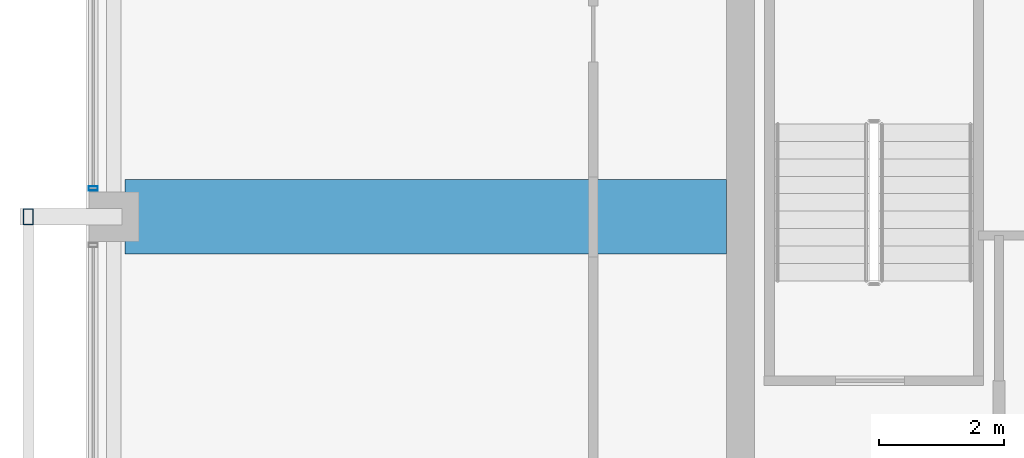
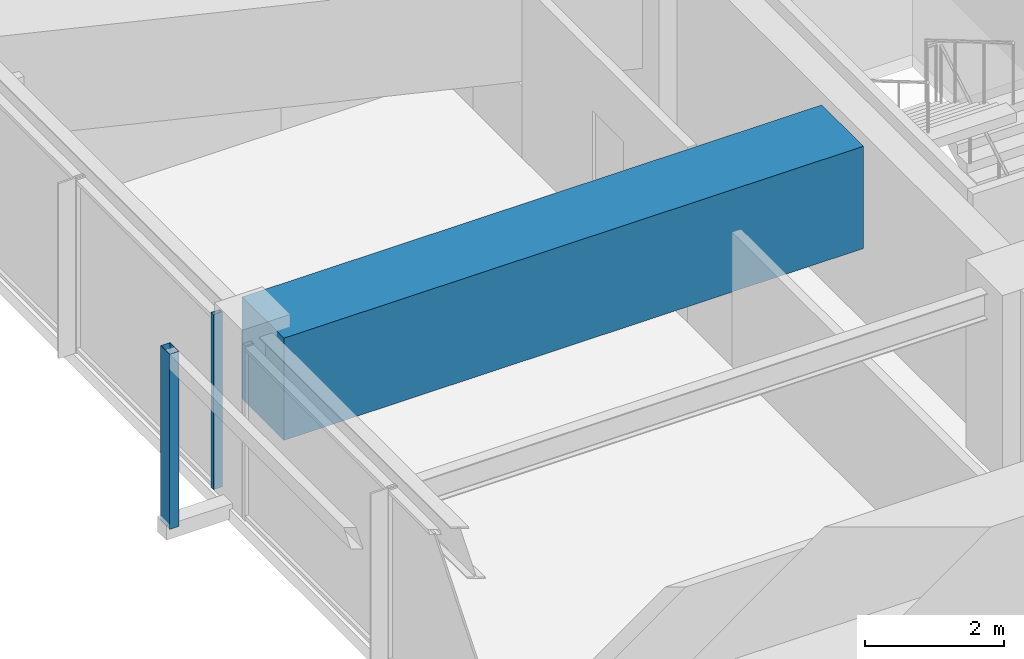
# One storey, part 10 of 37: 2 members, 1 beam, 1 element without a shape of its own.
"""IFC4 building model written with IfcOpenShell, lengths in metres."""

from ifc_helpers import new_model, si_unit, direction, frame, origin, origin_2d, place, context, subcontext, project, spatial, rectangle, hollow_rectangle, extrude, material, material_profile, profile_set, type_object, element, aggregate, save


model = new_model("IFC4")

# Units and contexts
model_context = context("Model", 3, precision=1e-05, world=origin(), true_north=direction((0.0, 1.0)))
body_context = subcontext(model_context, "Body", "Model", "MODEL_VIEW")
ifc_project = project(units=[si_unit("LENGTHUNIT", "METRE"), si_unit("AREAUNIT", "SQUARE_METRE"), si_unit("VOLUMEUNIT", "CUBIC_METRE"), si_unit("PLANEANGLEUNIT", "RADIAN"), si_unit("MASSUNIT", "GRAM", prefix="KILO")], contexts=[model_context])

# Site, building, storey
site_placement = place(None, origin())
site = spatial("IfcSite", under=ifc_project, at=site_placement, CompositionType="ELEMENT")
building_placement = place(site_placement, origin())
building = spatial("IfcBuilding", under=site, at=building_placement, Name="Kolvaren Belvedere", CompositionType="ELEMENT")
storey_placement = place(building_placement, frame((0.0, 0.0, 219.60009765625)))
storey = spatial("IfcBuildingStorey", under=building, at=storey_placement, Name="L64", CompositionType="ELEMENT", Elevation=219.60009765625)

# Beam
ifc_material_1 = material(Name="Concrete C50/60", Category="concrete")
ifc_material_profile_1 = material_profile(ifc_material_1, rectangle(XDim=1.199951171875, YDim=1.800048828125, at=origin_2d()), Name="RC 1200X1800")
ifc_profile_set_1 = profile_set([ifc_material_profile_1], Name="Concrete C50/60")
beam_type = type_object("IfcBeamType", Name="BM-TG-1800", PredefinedType="BEAM", material=ifc_profile_set_1)
beam_placement = place(storey_placement, frame((-10.125, 4.60009765625, 2.179931640625), z_axis=(-1.0, 0.0, 0.0), x_axis=(0.0, -1.0, 0.0)))
element("IfcBeam", 1, at=beam_placement, inside=storey, type_object=beam_type, Name="L64 West Radial Girder P", PredefinedType="BEAM", context=body_context, shape_type="SweptSolid", body=[
    extrude(rectangle(XDim=1.199951171875, YDim=1.800048828125, at=origin_2d()), origin(), (0.0, 0.0, 1.0), 9.64501953125),
])

# Curtain wall, member
ifc_material_2 = material(Name="Anodised pale-metal aluminium AA 6063-T6", Category="aluminium")
curtain_wall_type = type_object("IfcCurtainWallType", Name="CW-Z5-HIGH", PredefinedType="NOTDEFINED", material=ifc_material_2)
curtain_wall_placement = place(storey_placement, origin())
curtain_wall = element("IfcCurtainWall", 2, at=curtain_wall_placement, inside=storey, type_object=curtain_wall_type, Name="L64 Unitised Curtain Wall FCW-L64-W-B3", PredefinedType="NOTDEFINED")
ifc_material_3 = material(Name="Anodised pale-metal aluminium AA 6063-T6", Category="aluminium")
ifc_material_profile_2 = material_profile(ifc_material_3, hollow_rectangle(XDim=0.070068359375, YDim=0.14990234375, WallThickness=0.004150390625, at=origin_2d()), Name="ALU-MUL-150X70")
ifc_profile_set_2 = profile_set([ifc_material_profile_2], Name="Anodised pale-metal aluminium AA 6063-T6")
member_type_1 = type_object("IfcMemberType", Name="CW-MUL-150", PredefinedType="MULLION", material=ifc_profile_set_2)
member_1_placement = place(storey_placement, frame((-20.280029296875, 5.054931640625, 0.0), z_axis=(0.0, 0.0, 1.0), x_axis=(0.0, 1.0, 0.0)))
member_1 = element("IfcMember", 3, at=member_1_placement, type_object=member_type_1, Name="FCW-L64-W-B3 Unitised Mullion 1", PredefinedType="MULLION", context=body_context, shape_type="SweptSolid", body=[
    extrude(hollow_rectangle(XDim=0.070068359375, YDim=0.14990234375, WallThickness=0.004150390625, at=origin_2d()), origin(), (0.0, 0.0, 1.0), 3.079833984375),
])
aggregate(curtain_wall, [member_1])

# Member
ifc_material_4 = material(Name="Anodised pale-metal aluminium AA 6063-T6", Category="aluminium")
ifc_material_profile_3 = material_profile(ifc_material_4, hollow_rectangle(XDim=0.159912109375, YDim=0.260009765625, WallThickness=0.006591796875, at=origin_2d()), Name="ALU-PF-260X160")
ifc_profile_set_3 = profile_set([ifc_material_profile_3], Name="Anodised pale-metal aluminium AA 6063-T6")
member_type_2 = type_object("IfcMemberType", Name="PF-FRAME-260", PredefinedType="USERDEFINED", material=ifc_profile_set_3)
member_2_placement = place(storey_placement, frame((-21.320068359375, 4.60009765625, 0.0), z_axis=(0.0, 0.0, 1.0), x_axis=(1.0, 0.0, 0.0)))
element("IfcMember", 4, at=member_2_placement, inside=storey, type_object=member_type_2, Name="L64 Outboard Picture-Frame Vertical W2", ObjectType="PICTURE FRAME FIN", PredefinedType="USERDEFINED", context=body_context, shape_type="SweptSolid", body=[
    extrude(hollow_rectangle(XDim=0.159912109375, YDim=0.260009765625, WallThickness=0.006591796875, at=origin_2d()), origin(), (0.0, 0.0, 1.0), 3.079833984375),
])

save(model, "model.ifc")
